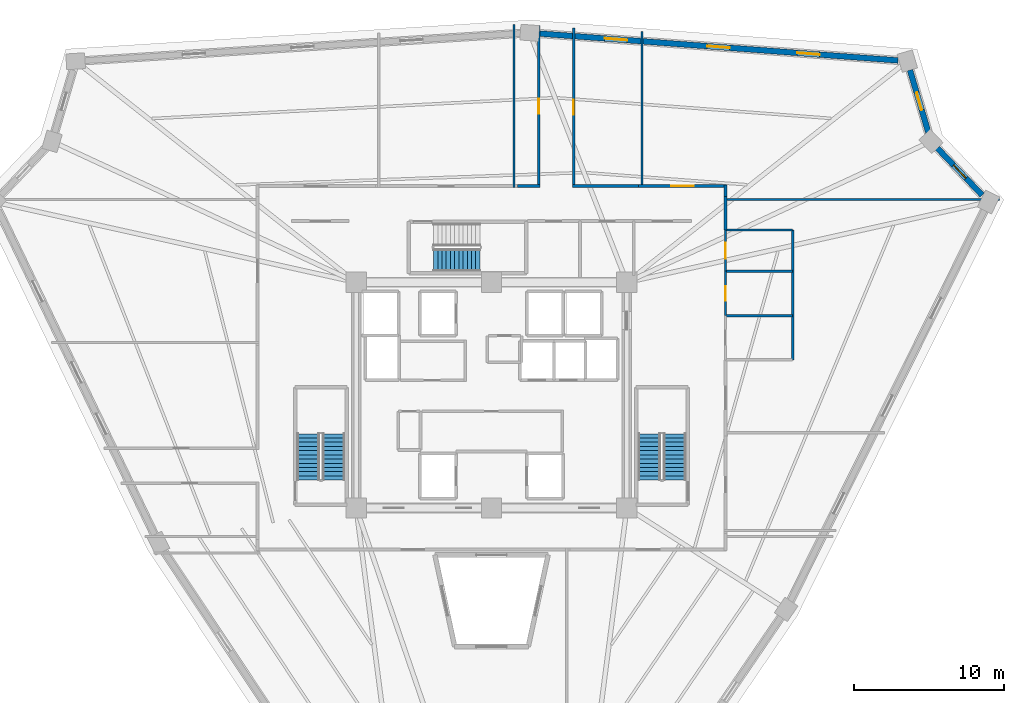
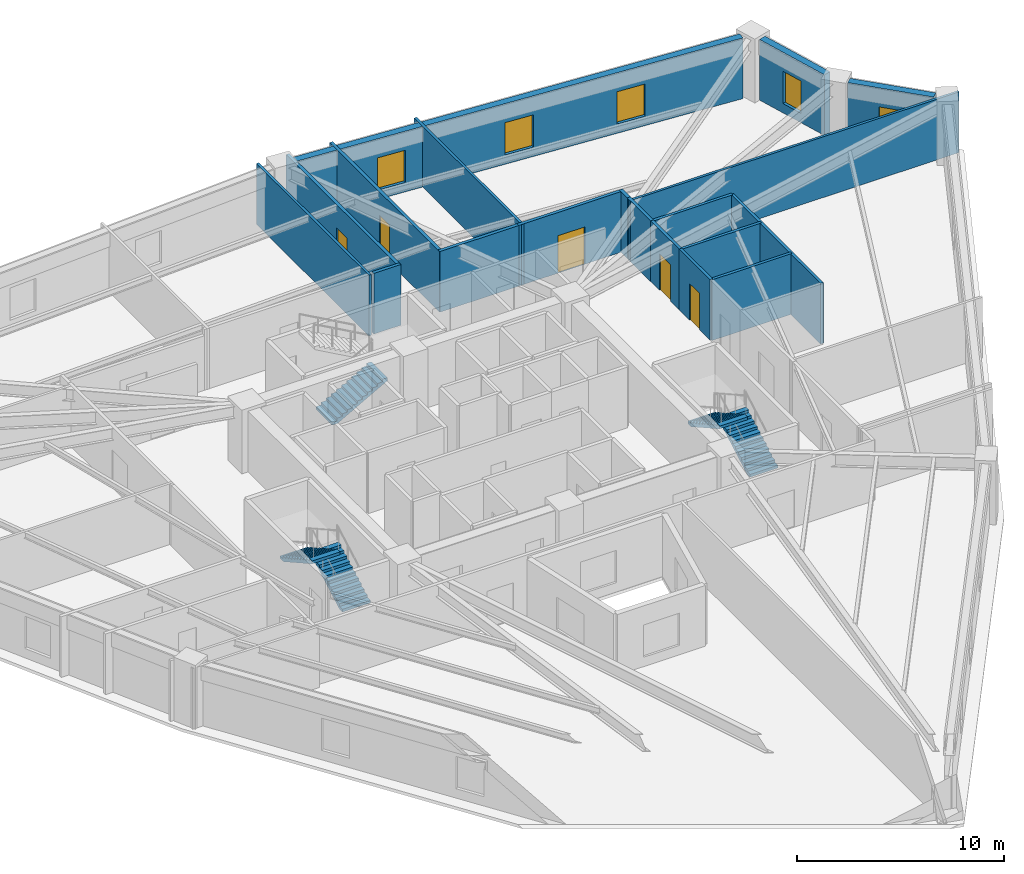
# One storey, part 7 of 9: 19 walls, 5 doors, 5 stair flights, 5 windows, 10 openings, 3 elements without a shape of their own.
"""IFC4 building model written with IfcOpenShell, lengths in metres."""

from ifc_helpers import new_model, si_unit, direction, frame, frame_2d, origin, place, context, subcontext, project, spatial, polyline, rectangle, outline, extrude, source, transform, mapped, material, layer, layer_set, type_object, element, fill, aggregate, save


model = new_model("IFC4")

# Units and contexts
model_context = context("Model", 3, precision=1e-05, world=origin(), true_north=direction((0.0, 1.0)))
body_context = subcontext(model_context, "Body", "Model", "MODEL_VIEW")
ifc_project = project(units=[si_unit("LENGTHUNIT", "METRE"), si_unit("AREAUNIT", "SQUARE_METRE"), si_unit("VOLUMEUNIT", "CUBIC_METRE"), si_unit("PLANEANGLEUNIT", "RADIAN"), si_unit("MASSUNIT", "GRAM", prefix="KILO")], contexts=[model_context])

# Site, building, storey
site_placement = place(None, origin())
site = spatial("IfcSite", under=ifc_project, at=site_placement, CompositionType="ELEMENT")
building_placement = place(site_placement, origin())
building = spatial("IfcBuilding", under=site, at=building_placement, Name="Liaohun Quay Tower", CompositionType="ELEMENT")
storey_placement = place(building_placement, frame((0.0, 0.0, 224.25)))
storey = spatial("IfcBuildingStorey", under=building, at=storey_placement, Name="L58", CompositionType="ELEMENT", Elevation=224.25)

# Wall, opening, window
ifc_material_1 = material(Name="Precast concrete C50 insulated sandwich", Category="concrete")
ifc_layer_1 = layer(ifc_material_1, 0.3798828125, Name="Precast concrete C50 insulated sandwich", Category="concrete")
ifc_layer_set_1 = layer_set([ifc_layer_1], Name="Precast concrete C50 insulated sandwich")
wall_type_1 = type_object("IfcWallType", Name="WAL-EXT-Z34", PredefinedType="SOLIDWALL", material=ifc_layer_set_1)
wall_1_placement = place(storey_placement, frame((92.626953125, 67.2919921875, 0.0), z_axis=(0.0, 0.0, 1.0), x_axis=(-0.689302673128, 0.724473481101, 0.0)))
wall_1 = element("IfcWall", 1, at=wall_1_placement, inside=storey, type_object=wall_type_1, Name="L58 Brutalist Precast Pier Wall 04", PredefinedType="SOLIDWALL", context=body_context, shape_type="SweptSolid", body=[
    extrude(rectangle(XDim=4.32470703125, YDim=0.3798828125, at=frame_2d((2.162353515625, 0.0))), origin(), (0.0, 0.0, 1.0), 3.570068359375),
])
shared_shape_1 = source(origin(), body_context, "Body", "SweptSolid", [
    extrude(rectangle(XDim=1.199951171875, YDim=1.89990234375, at=frame_2d((0.60009765625, 0.949951171875))), frame((0.0, 0.199951171875, 0.0), z_axis=(0.0, -1.0, 0.0), x_axis=(1.0, 0.0, 0.0)), (0.0, 0.0, 1.0), 0.39990234375),
])
opening_1_placement = place(wall_1_placement, frame((1.56201171875, 0.0, 0.550048828125)))
opening_1 = element("IfcOpeningElement", 2, at=opening_1_placement, cuts=wall_1, Name="Opening W05", PredefinedType="OPENING", context=body_context, shape_type="MappedRepresentation", body=[
    mapped(shared_shape_1, transform((0.0, 0.0, 0.0), x_axis=(1.0, 0.0, 0.0), y_axis=(0.0, 1.0, 0.0), z_axis=(0.0, 0.0, 1.0), scale=1.0)),
])
ifc_material_2 = material(Name="Triple Low-E corner notch glazing", Category="glass")
window_type_1 = type_object("IfcWindowType", Name="WIN-NOTCH", PartitioningType="SINGLE_PANEL", PredefinedType="WINDOW", material=ifc_material_2)
shared_shape_2 = source(origin(), body_context, "Body", "SweptSolid", [
    extrude(rectangle(XDim=1.199951171875, YDim=1.89990234375, at=frame_2d((0.60009765625, 0.949951171875))), frame((0.0, 0.030029296875, 0.0), z_axis=(0.0, -1.0, 0.0), x_axis=(1.0, 0.0, 0.0)), (0.0, 0.0, 1.0), 0.06005859375),
])
window_1_placement = place(opening_1_placement, origin())
window_1 = element("IfcWindow", 3, at=window_1_placement, inside=storey, type_object=window_type_1, Name="L58 Corner Notch Window W05-04", OverallHeight=1.89990234375, OverallWidth=1.199951171875, PartitioningType="SINGLE_PANEL", PredefinedType="WINDOW", context=body_context, shape_type="MappedRepresentation", body=[
    mapped(shared_shape_2, transform((0.0, 0.0, 0.0), x_axis=(1.0, 0.0, 0.0), y_axis=(0.0, 1.0, 0.0), z_axis=(0.0, 0.0, 1.0), scale=1.0)),
])
fill(opening_1, window_1)

wall_2_placement = place(storey_placement, frame((89.048095703125, 71.4609375, 0.0), z_axis=(0.0, 0.0, 1.0), x_axis=(-0.282748942372, 0.959193950975, 0.0)))
wall_2 = element("IfcWall", 4, at=wall_2_placement, inside=storey, type_object=wall_type_1, Name="L58 Brutalist Precast Pier Wall 05", PredefinedType="SOLIDWALL", context=body_context, shape_type="SweptSolid", body=[
    extrude(rectangle(XDim=4.332763671875, YDim=0.3798828125, at=frame_2d((2.16650390625, 0.0))), origin(), (0.0, 0.0, 1.0), 3.570068359375),
])
opening_2_placement = place(wall_2_placement, frame((1.56591796875, 0.0, 0.550048828125)))
opening_2 = element("IfcOpeningElement", 5, at=opening_2_placement, cuts=wall_2, Name="Opening W05", PredefinedType="OPENING", context=body_context, shape_type="MappedRepresentation", body=[
    mapped(shared_shape_1, transform((0.0, 0.0, 0.0), x_axis=(1.0, 0.0, 0.0), y_axis=(0.0, 1.0, 0.0), z_axis=(0.0, 0.0, 1.0), scale=1.0)),
])
window_2_placement = place(opening_2_placement, origin())
window_2 = element("IfcWindow", 6, at=window_2_placement, inside=storey, type_object=window_type_1, Name="L58 Corner Notch Window W05-05", OverallHeight=1.89990234375, OverallWidth=1.199951171875, PartitioningType="SINGLE_PANEL", PredefinedType="WINDOW", context=body_context, shape_type="MappedRepresentation", body=[
    mapped(shared_shape_2, transform((0.0, 0.0, 0.0), x_axis=(1.0, 0.0, 0.0), y_axis=(0.0, 1.0, 0.0), z_axis=(0.0, 0.0, 1.0), scale=1.0)),
])
fill(opening_2, window_2)

# Wall, openings, windows
wall_3_placement = place(storey_placement, frame((87.035888671875, 76.2529296875, 0.0), z_axis=(0.0, 0.0, 1.0), x_axis=(-0.997196419931, 0.07482847103, 0.0)))
wall_3 = element("IfcWall", 7, at=wall_3_placement, inside=storey, type_object=wall_type_1, Name="L58 Brutalist Precast Pier Wall 06", PredefinedType="SOLIDWALL", context=body_context, shape_type="SweptSolid", body=[
    extrude(rectangle(XDim=23.947998046875, YDim=0.3798828125, at=frame_2d((11.97412109375, 0.0))), origin(), (0.0, 0.0, 1.0), 3.570068359375),
])
shared_shape_3 = source(origin(), body_context, "Body", "SweptSolid", [
    extrude(rectangle(XDim=1.5, YDim=1.89990234375, at=frame_2d((0.75, 0.949951171875))), frame((0.0, 0.199951171875, 0.0), z_axis=(0.0, -1.0, 0.0), x_axis=(1.0, 0.0, 0.0)), (0.0, 0.0, 1.0), 0.39990234375),
])
opening_3_placement = place(wall_3_placement, frame((5.237060546875, 0.0, 0.550048828125)))
opening_3 = element("IfcOpeningElement", 8, at=opening_3_placement, cuts=wall_3, Name="Opening W03", PredefinedType="OPENING", context=body_context, shape_type="MappedRepresentation", body=[
    mapped(shared_shape_3, transform((0.0, 0.0, 0.0), x_axis=(1.0, 0.0, 0.0), y_axis=(0.0, 1.0, 0.0), z_axis=(0.0, 0.0, 1.0), scale=1.0)),
])
opening_4_placement = place(wall_3_placement, frame((11.22412109375, 0.0, 0.550048828125)))
opening_4 = element("IfcOpeningElement", 9, at=opening_4_placement, cuts=wall_3, Name="Opening W03", PredefinedType="OPENING", context=body_context, shape_type="MappedRepresentation", body=[
    mapped(shared_shape_3, transform((0.0, 0.0, 0.0), x_axis=(1.0, 0.0, 0.0), y_axis=(0.0, 1.0, 0.0), z_axis=(0.0, 0.0, 1.0), scale=1.0)),
])
opening_5_placement = place(wall_3_placement, frame((18.06103515625, 0.0, 0.550048828125)))
opening_5 = element("IfcOpeningElement", 10, at=opening_5_placement, cuts=wall_3, Name="Opening W03", PredefinedType="OPENING", context=body_context, shape_type="MappedRepresentation", body=[
    mapped(shared_shape_3, transform((0.0, 0.0, 0.0), x_axis=(1.0, 0.0, 0.0), y_axis=(0.0, 1.0, 0.0), z_axis=(0.0, 0.0, 1.0), scale=1.0)),
])
ifc_material_3 = material(Name="Triple Low-E argon glazing in thermally broken aluminium", Category="aluminium")
window_type_2 = type_object("IfcWindowType", Name="WIN-PUN-Z3", PartitioningType="DOUBLE_PANEL_VERTICAL", PredefinedType="WINDOW", material=ifc_material_3)
shared_shape_4 = source(origin(), body_context, "Body", "SweptSolid", [
    extrude(rectangle(XDim=1.5, YDim=1.89990234375, at=frame_2d((0.75, 0.949951171875))), frame((0.0, 0.030029296875, 0.0), z_axis=(0.0, -1.0, 0.0), x_axis=(1.0, 0.0, 0.0)), (0.0, 0.0, 1.0), 0.06005859375),
])
window_3_placement = place(opening_3_placement, origin())
window_3 = element("IfcWindow", 11, at=window_3_placement, inside=storey, type_object=window_type_2, Name="L58 Recessed Cold-Climate Punched Window 06-1", OverallHeight=1.89990234375, OverallWidth=1.5, PartitioningType="DOUBLE_PANEL_VERTICAL", PredefinedType="WINDOW", context=body_context, shape_type="MappedRepresentation", body=[
    mapped(shared_shape_4, transform((0.0, 0.0, 0.0), x_axis=(1.0, 0.0, 0.0), y_axis=(0.0, 1.0, 0.0), z_axis=(0.0, 0.0, 1.0), scale=1.0)),
])
fill(opening_3, window_3)
window_4_placement = place(opening_4_placement, origin())
window_4 = element("IfcWindow", 12, at=window_4_placement, inside=storey, type_object=window_type_2, Name="L58 Recessed Cold-Climate Punched Window 06-2", OverallHeight=1.89990234375, OverallWidth=1.5, PartitioningType="DOUBLE_PANEL_VERTICAL", PredefinedType="WINDOW", context=body_context, shape_type="MappedRepresentation", body=[
    mapped(shared_shape_4, transform((0.0, 0.0, 0.0), x_axis=(1.0, 0.0, 0.0), y_axis=(0.0, 1.0, 0.0), z_axis=(0.0, 0.0, 1.0), scale=1.0)),
])
fill(opening_4, window_4)
window_5_placement = place(opening_5_placement, origin())
window_5 = element("IfcWindow", 13, at=window_5_placement, inside=storey, type_object=window_type_2, Name="L58 Recessed Cold-Climate Punched Window 06-3", OverallHeight=1.89990234375, OverallWidth=1.5, PartitioningType="DOUBLE_PANEL_VERTICAL", PredefinedType="WINDOW", context=body_context, shape_type="MappedRepresentation", body=[
    mapped(shared_shape_4, transform((0.0, 0.0, 0.0), x_axis=(1.0, 0.0, 0.0), y_axis=(0.0, 1.0, 0.0), z_axis=(0.0, 0.0, 1.0), scale=1.0)),
])
fill(opening_5, window_5)

# Wall, opening, door
ifc_material_4 = material(Name="Autoclaved aerated concrete blockwork", Category="masonry")
ifc_layer_2 = layer(ifc_material_4, 0.179931640625, Name="Autoclaved aerated concrete blockwork", Category="masonry")
ifc_layer_set_2 = layer_set([ifc_layer_2], Name="Autoclaved aerated concrete blockwork")
wall_type_2 = type_object("IfcWallType", Name="WAL-PRT-COR", PredefinedType="PARTITIONING", material=ifc_layer_set_2)
wall_4_placement = place(storey_placement, frame((69.784912109375, 67.909912109375, 0.0), z_axis=(0.0, 0.0, 1.0), x_axis=(1.0, 0.0, 0.0)))
wall_4 = element("IfcWall", 14, at=wall_4_placement, inside=storey, type_object=wall_type_2, Name="L58 Interior Partition Wall 013", PredefinedType="PARTITIONING", context=body_context, shape_type="SweptSolid", body=[
    extrude(rectangle(XDim=5.844970703125, YDim=0.179931640625, at=frame_2d((2.92236328125, 0.0))), origin(), (0.0, 0.0, 1.0), 3.570068359375),
])
shared_shape_5 = source(origin(), body_context, "Body", "SweptSolid", [
    extrude(rectangle(XDim=1.5, YDim=2.199951171875, at=frame_2d((0.75, 1.10009765625))), frame((0.0, 0.099853515625, 0.0), z_axis=(0.0, -1.0, 0.0), x_axis=(1.0, 0.0, 0.0)), (0.0, 0.0, 1.0), 0.199951171875),
])
opening_6_placement = place(wall_4_placement, frame((2.172119140625, 0.0, 0.0)))
opening_6 = element("IfcOpeningElement", 15, at=opening_6_placement, cuts=wall_4, Name="Opening OD2", PredefinedType="OPENING", context=body_context, shape_type="MappedRepresentation", body=[
    mapped(shared_shape_5, transform((0.0, 0.0, 0.0), x_axis=(1.0, 0.0, 0.0), y_axis=(0.0, 1.0, 0.0), z_axis=(0.0, 0.0, 1.0), scale=1.0)),
])
ifc_material_5 = material(Name="Acoustic oak veneer double door")
door_type_1 = type_object("IfcDoorType", Name="DOR-OFF-1500", OperationType="DOUBLE_DOOR_SINGLE_SWING", PredefinedType="DOOR", material=ifc_material_5)
shared_shape_6 = source(origin(), body_context, "Body", "SweptSolid", [
    extrude(rectangle(XDim=1.5, YDim=2.199951171875, at=frame_2d((0.75, 1.10009765625))), frame((0.0, 0.02490234375, 0.0), z_axis=(0.0, -1.0, 0.0), x_axis=(1.0, 0.0, 0.0)), (0.0, 0.0, 1.0), 0.050048828125),
])
door_1_placement = place(opening_6_placement, origin())
door_1 = element("IfcDoor", 16, at=door_1_placement, inside=storey, type_object=door_type_1, Name="L58 Corporate Exhibition Gallery 02 Door", OperationType="DOUBLE_DOOR_SINGLE_SWING", OverallHeight=2.199951171875, OverallWidth=1.5, PredefinedType="DOOR", context=body_context, shape_type="MappedRepresentation", body=[
    mapped(shared_shape_6, transform((0.0, 0.0, 0.0), x_axis=(1.0, 0.0, 0.0), y_axis=(0.0, 1.0, 0.0), z_axis=(0.0, 0.0, 1.0), scale=1.0)),
])
fill(opening_6, door_1)

wall_5_placement = place(storey_placement, frame((65.4599609375, 78.4130859375, 0.0), z_axis=(0.0, 0.0, 1.0), x_axis=(0.0, -1.0, 0.0)))
wall_5 = element("IfcWall", 17, at=wall_5_placement, inside=storey, type_object=wall_type_2, Name="L58 Interior Partition Wall 014", PredefinedType="PARTITIONING", context=body_context, shape_type="SweptSolid", body=[
    extrude(rectangle(XDim=10.572998046875, YDim=0.179931640625, at=frame_2d((5.28662109375, 0.0))), origin(), (0.0, 0.0, 1.0), 3.570068359375),
])
shared_shape_7 = source(origin(), body_context, "Body", "SweptSolid", [
    extrude(rectangle(XDim=1.0, YDim=2.199951171875, at=frame_2d((0.5, 1.10009765625))), frame((0.0, 0.099853515625, 0.0), z_axis=(0.0, -1.0, 0.0), x_axis=(1.0, 0.0, 0.0)), (0.0, 0.0, 1.0), 0.199951171875),
])
opening_7_placement = place(wall_5_placement, frame((4.785888671875, 0.0, 0.0)))
opening_7 = element("IfcOpeningElement", 18, at=opening_7_placement, cuts=wall_5, Name="Opening OD1", PredefinedType="OPENING", context=body_context, shape_type="MappedRepresentation", body=[
    mapped(shared_shape_7, transform((0.0, 0.0, 0.0), x_axis=(1.0, 0.0, 0.0), y_axis=(0.0, 1.0, 0.0), z_axis=(0.0, 0.0, 1.0), scale=1.0)),
])
ifc_material_6 = material(Name="Solid-core oak veneer timber leaf in steel frame", Category="steel")
door_type_2 = type_object("IfcDoorType", Name="DOR-OFF-1000", OperationType="NOTDEFINED", PredefinedType="DOOR", material=ifc_material_6)
shared_shape_8 = source(origin(), body_context, "Body", "SweptSolid", [
    extrude(rectangle(XDim=1.0, YDim=2.199951171875, at=frame_2d((0.5, 1.10009765625))), frame((0.0, 0.02490234375, 0.0), z_axis=(0.0, -1.0, 0.0), x_axis=(1.0, 0.0, 0.0)), (0.0, 0.0, 1.0), 0.050048828125),
])
door_2_placement = place(opening_7_placement, origin())
door_2 = element("IfcDoor", 19, at=door_2_placement, inside=storey, type_object=door_type_2, Name="L58 Staff Daycare Nursery 03 Door", OperationType="SINGLE_SWING_RIGHT", OverallHeight=2.199951171875, OverallWidth=1.0, PredefinedType="DOOR", context=body_context, shape_type="MappedRepresentation", body=[
    mapped(shared_shape_8, transform((0.0, 0.0, 0.0), x_axis=(1.0, 0.0, 0.0), y_axis=(0.0, 1.0, 0.0), z_axis=(0.0, 0.0, 1.0), scale=1.0)),
])
fill(opening_7, door_2)

wall_6_placement = place(storey_placement, frame((63.139892578125, 67.840087890625, 0.0), z_axis=(0.0, 0.0, 1.0), x_axis=(0.0, 1.0, 0.0)))
wall_6 = element("IfcWall", 20, at=wall_6_placement, inside=storey, type_object=wall_type_2, Name="L58 Interior Partition Wall 015", PredefinedType="PARTITIONING", context=body_context, shape_type="SweptSolid", body=[
    extrude(rectangle(XDim=10.746826171875, YDim=0.179931640625, at=frame_2d((5.37353515625, 0.0))), origin(), (0.0, 0.0, 1.0), 3.570068359375),
])
opening_8_placement = place(wall_6_placement, frame((4.873046875, 0.0, 0.0)))
opening_8 = element("IfcOpeningElement", 21, at=opening_8_placement, cuts=wall_6, Name="Opening OD1", PredefinedType="OPENING", context=body_context, shape_type="MappedRepresentation", body=[
    mapped(shared_shape_7, transform((0.0, 0.0, 0.0), x_axis=(1.0, 0.0, 0.0), y_axis=(0.0, 1.0, 0.0), z_axis=(0.0, 0.0, 1.0), scale=1.0)),
])
door_3_placement = place(opening_8_placement, origin())
door_3 = element("IfcDoor", 22, at=door_3_placement, inside=storey, type_object=door_type_2, Name="L58 Project Collaboration Studio 04 Door", OperationType="SINGLE_SWING_LEFT", OverallHeight=2.199951171875, OverallWidth=1.0, PredefinedType="DOOR", context=body_context, shape_type="MappedRepresentation", body=[
    mapped(shared_shape_8, transform((0.0, 0.0, 0.0), x_axis=(1.0, 0.0, 0.0), y_axis=(0.0, 1.0, 0.0), z_axis=(0.0, 0.0, 1.0), scale=1.0)),
])
fill(opening_8, door_3)

# Walls
wall_7_placement = place(storey_placement, frame((75.56005859375, 67.215087890625, 0.0), z_axis=(0.0, 0.0, 1.0), x_axis=(0.0, -1.0, 0.0)))
element("IfcWall", 23, at=wall_7_placement, inside=storey, type_object=wall_type_2, Name="L58 Interior Partition Wall 037", PredefinedType="PARTITIONING", context=body_context, shape_type="SweptSolid", body=[
    extrude(rectangle(XDim=2.235107421875, YDim=0.179931640625, at=frame_2d((1.11767578125, 0.0))), origin(), (0.0, 0.0, 1.0), 3.570068359375),
])
wall_8_placement = place(storey_placement, frame((75.56005859375, 67.97998046875, 0.0), z_axis=(0.0, 0.0, 1.0), x_axis=(0.0, -1.0, 0.0)))
element("IfcWall", 24, at=wall_8_placement, inside=storey, type_object=wall_type_2, Name="L58 Interior Partition Wall 038", PredefinedType="PARTITIONING", context=body_context, shape_type="SweptSolid", body=[
    extrude(rectangle(XDim=0.764892578125, YDim=0.179931640625, at=frame_2d((0.38232421875, 0.0))), origin(), (0.0, 0.0, 1.0), 3.570068359375),
])
wall_9_placement = place(storey_placement, frame((65.389892578125, 67.909912109375, 0.0), z_axis=(0.0, 0.0, 1.0), x_axis=(1.0, 0.0, 0.0)))
element("IfcWall", 25, at=wall_9_placement, inside=storey, type_object=wall_type_2, Name="L58 Interior Partition Wall 039", PredefinedType="PARTITIONING", context=body_context, shape_type="SweptSolid", body=[
    extrude(rectangle(XDim=4.39501953125, YDim=0.179931640625, at=frame_2d((2.197509765625, 0.0))), origin(), (0.0, 0.0, 1.0), 3.570068359375),
])
wall_10_placement = place(storey_placement, frame((61.715087890625, 67.909912109375, 0.0), z_axis=(0.0, 0.0, 1.0), x_axis=(1.0, 0.0, 0.0)))
element("IfcWall", 26, at=wall_10_placement, inside=storey, type_object=wall_type_2, Name="L58 Interior Partition Wall 040", PredefinedType="PARTITIONING", context=body_context, shape_type="SweptSolid", body=[
    extrude(rectangle(XDim=1.494873046875, YDim=0.179931640625, at=frame_2d((0.74755859375, 0.0))), origin(), (0.0, 0.0, 1.0), 3.570068359375),
])
ifc_material_7 = material(Name="Gypsum board on twin steel studs", Category="steel")
ifc_layer_3 = layer(ifc_material_7, 0.139892578125, Name="Gypsum board on twin steel studs", Category="steel")
ifc_layer_set_3 = layer_set([ifc_layer_3], Name="Gypsum board on twin steel studs")
wall_type_3 = type_object("IfcWallType", Name="WAL-PRT-OFF", PredefinedType="PARTITIONING", material=ifc_layer_set_3)
wall_11_placement = place(storey_placement, frame((75.4599609375, 67.0, 0.0), z_axis=(0.0, 0.0, 1.0), x_axis=(1.0, 0.0, 0.0)))
element("IfcWall", 27, at=wall_11_placement, inside=storey, type_object=wall_type_3, Name="L58 Interior Partition Wall 053", PredefinedType="PARTITIONING", context=body_context, shape_type="SweptSolid", body=[
    extrude(rectangle(XDim=18.31396484375, YDim=0.139892578125, at=frame_2d((9.156982421875, 0.0))), origin(), (0.0, 0.0, 1.0), 3.570068359375),
])
wall_12_placement = place(storey_placement, frame((61.5, 67.81005859375, 0.0), z_axis=(0.0, 0.0, 1.0), x_axis=(0.0, 1.0, 0.0)))
element("IfcWall", 28, at=wall_12_placement, inside=storey, type_object=wall_type_3, Name="L58 Interior Partition Wall 055", PredefinedType="PARTITIONING", context=body_context, shape_type="SweptSolid", body=[
    extrude(rectangle(XDim=10.846923828125, YDim=0.139892578125, at=frame_2d((5.42333984375, 0.0))), origin(), (0.0, 0.0, 1.0), 3.570068359375),
])
wall_13_placement = place(storey_placement, frame((70.0, 67.81005859375, 0.0), z_axis=(0.0, 0.0, 1.0), x_axis=(0.0, 1.0, 0.0)))
element("IfcWall", 29, at=wall_13_placement, inside=storey, type_object=wall_type_3, Name="L58 Interior Partition Wall 056", PredefinedType="PARTITIONING", context=body_context, shape_type="SweptSolid", body=[
    extrude(rectangle(XDim=10.35302734375, YDim=0.139892578125, at=frame_2d((5.176513671875, 0.0))), origin(), (0.0, 0.0, 1.0), 3.570068359375),
])

# Wall, opening, door
ifc_material_8 = material(Name="Moisture-resistant masonry blockwork", Category="masonry")
ifc_layer_4 = layer(ifc_material_8, 0.159912109375, Name="Moisture-resistant masonry blockwork", Category="masonry")
ifc_layer_set_4 = layer_set([ifc_layer_4], Name="Moisture-resistant masonry blockwork")
wall_type_4 = type_object("IfcWallType", Name="WAL-PRT-WET", PredefinedType="PARTITIONING", material=ifc_layer_set_4)
wall_14_placement = place(storey_placement, frame((75.56005859375, 59.280029296875, 0.0), z_axis=(0.0, 0.0, 1.0), x_axis=(0.0, 1.0, 0.0)))
wall_14 = element("IfcWall", 30, at=wall_14_placement, inside=storey, type_object=wall_type_4, Name="L58 Interior Partition Wall 006", PredefinedType="PARTITIONING", context=body_context, shape_type="SweptSolid", body=[
    extrude(rectangle(XDim=2.9599609375, YDim=0.159912109375, at=frame_2d((1.47998046875, 0.0))), origin(), (0.0, 0.0, 1.0), 3.570068359375),
])
shared_shape_9 = source(origin(), body_context, "Body", "SweptSolid", [
    extrude(rectangle(XDim=0.949951171875, YDim=2.14990234375, at=frame_2d((0.47509765625, 1.074951171875))), frame((0.0, 0.08984375, 0.0), z_axis=(0.0, -1.0, 0.0), x_axis=(1.0, 0.0, 0.0)), (0.0, 0.0, 1.0), 0.179931640625),
])
opening_9_placement = place(wall_14_placement, frame((1.0048828125, 0.0, 0.0)))
opening_9 = element("IfcOpeningElement", 31, at=opening_9_placement, cuts=wall_14, Name="Opening WD1", PredefinedType="OPENING", context=body_context, shape_type="MappedRepresentation", body=[
    mapped(shared_shape_9, transform((0.0, 0.0, 0.0), x_axis=(1.0, 0.0, 0.0), y_axis=(0.0, 1.0, 0.0), z_axis=(0.0, 0.0, 1.0), scale=1.0)),
])
ifc_material_9 = material(Name="Moisture-resistant laminate timber leaf", Category="wood")
door_type_3 = type_object("IfcDoorType", Name="DOR-WC-950", OperationType="NOTDEFINED", PredefinedType="DOOR", material=ifc_material_9)
shared_shape_10 = source(origin(), body_context, "Body", "SweptSolid", [
    extrude(rectangle(XDim=0.949951171875, YDim=2.14990234375, at=frame_2d((0.47509765625, 1.074951171875))), frame((0.0, 0.02490234375, 0.0), z_axis=(0.0, -1.0, 0.0), x_axis=(1.0, 0.0, 0.0)), (0.0, 0.0, 1.0), 0.050048828125),
])
door_4_placement = place(opening_9_placement, origin())
door_4 = element("IfcDoor", 32, at=door_4_placement, inside=storey, type_object=door_type_3, Name="L58 Female Restroom WC Door", OperationType="SINGLE_SWING_RIGHT", OverallHeight=2.14990234375, OverallWidth=0.949951171875, PredefinedType="DOOR", context=body_context, shape_type="MappedRepresentation", body=[
    mapped(shared_shape_10, transform((0.0, 0.0, 0.0), x_axis=(1.0, 0.0, 0.0), y_axis=(0.0, 1.0, 0.0), z_axis=(0.0, 0.0, 1.0), scale=1.0)),
])
fill(opening_9, door_4)

wall_15_placement = place(storey_placement, frame((75.56005859375, 62.239990234375, 0.0), z_axis=(0.0, 0.0, 1.0), x_axis=(0.0, 1.0, 0.0)))
wall_15 = element("IfcWall", 33, at=wall_15_placement, inside=storey, type_object=wall_type_4, Name="L58 Interior Partition Wall 007", PredefinedType="PARTITIONING", context=body_context, shape_type="SweptSolid", body=[
    extrude(rectangle(XDim=2.739990234375, YDim=0.159912109375, at=frame_2d((1.3701171875, 0.0))), origin(), (0.0, 0.0, 1.0), 3.570068359375),
])
shared_shape_11 = source(origin(), body_context, "Body", "SweptSolid", [
    extrude(rectangle(XDim=1.050048828125, YDim=2.14990234375, at=frame_2d((0.52490234375, 1.074951171875))), frame((0.0, 0.08984375, 0.0), z_axis=(0.0, -1.0, 0.0), x_axis=(1.0, 0.0, 0.0)), (0.0, 0.0, 1.0), 0.179931640625),
])
opening_10_placement = place(wall_15_placement, frame((0.844970703125, 0.0, 0.0)))
opening_10 = element("IfcOpeningElement", 34, at=opening_10_placement, cuts=wall_15, Name="Opening WD2", PredefinedType="OPENING", context=body_context, shape_type="MappedRepresentation", body=[
    mapped(shared_shape_11, transform((0.0, 0.0, 0.0), x_axis=(1.0, 0.0, 0.0), y_axis=(0.0, 1.0, 0.0), z_axis=(0.0, 0.0, 1.0), scale=1.0)),
])
ifc_material_10 = material(Name="Accessible outward-swinging laminate door")
door_type_4 = type_object("IfcDoorType", Name="DOR-AWC-1050", OperationType="NOTDEFINED", PredefinedType="DOOR", material=ifc_material_10)
shared_shape_12 = source(origin(), body_context, "Body", "SweptSolid", [
    extrude(rectangle(XDim=1.050048828125, YDim=2.14990234375, at=frame_2d((0.52490234375, 1.074951171875))), frame((0.0, 0.02490234375, 0.0), z_axis=(0.0, -1.0, 0.0), x_axis=(1.0, 0.0, 0.0)), (0.0, 0.0, 1.0), 0.050048828125),
])
door_5_placement = place(opening_10_placement, origin())
door_5 = element("IfcDoor", 35, at=door_5_placement, inside=storey, type_object=door_type_4, Name="L58 Accessible WC Door", OperationType="SINGLE_SWING_LEFT", OverallHeight=2.14990234375, OverallWidth=1.050048828125, PredefinedType="DOOR", context=body_context, shape_type="MappedRepresentation", body=[
    mapped(shared_shape_12, transform((0.0, 0.0, 0.0), x_axis=(1.0, 0.0, 0.0), y_axis=(0.0, 1.0, 0.0), z_axis=(0.0, 0.0, 1.0), scale=1.0)),
])
fill(opening_10, door_5)

# Walls
wall_16_placement = place(storey_placement, frame((80.02001953125, 56.340087890625, 0.0), z_axis=(0.0, 0.0, 1.0), x_axis=(0.0, 1.0, 0.0)))
element("IfcWall", 36, at=wall_16_placement, inside=storey, type_object=wall_type_4, Name="L58 Interior Partition Wall 030", PredefinedType="PARTITIONING", context=body_context, shape_type="SweptSolid", body=[
    extrude(rectangle(XDim=8.639892578125, YDim=0.159912109375, at=frame_2d((4.31982421875, 0.0))), origin(), (0.0, 0.0, 1.0), 3.570068359375),
])
for number, where, z_axis, x_axis, name in (
    (37, (75.56005859375, 59.280029296875, 0.0), (0.0, 0.0, 1.0), (1.0, 0.0, 0.0), "L58 Interior Partition Wall 032"),
    (38, (75.56005859375, 62.239990234375, 0.0), (0.0, 0.0, 1.0), (1.0, 0.0, 0.0), "L58 Interior Partition Wall 033"),
    (39, (75.56005859375, 64.97998046875, 0.0), (0.0, 0.0, 1.0), (1.0, 0.0, 0.0), "L58 Interior Partition Wall 034"),
):
    element("IfcWall", number, at=place(storey_placement, frame(where, z_axis=z_axis, x_axis=x_axis)), inside=storey, type_object=wall_type_4, Name=name, PredefinedType="PARTITIONING", context=body_context, shape_type="SweptSolid", body=[
        extrude(rectangle(XDim=4.4599609375, YDim=0.159912109375, at=frame_2d((2.22998046875, 0.0))), origin(), (0.0, 0.0, 1.0), 3.570068359375),
    ])

# Stair, stair flights
ifc_material_11 = material(Name="Concrete C45", Category="concrete")
stair_type = type_object("IfcStairType", Name="STR-CORE-OFF", PredefinedType="HALF_TURN_STAIR", material=ifc_material_11)
stair_1_placement = place(storey_placement, origin())
stair_1 = element("IfcStair", 40, at=stair_1_placement, inside=storey, type_object=stair_type, Name="L58 Smokeproof Core Exit Stair ST-1", PredefinedType="HALF_TURN_STAIR")
stair_flight_type = type_object("IfcStairFlightType", Name="FLT-CORE-155", PredefinedType="STRAIGHT", material=ifc_material_11)
stair_flight_1_placement = place(storey_placement, frame((49.5048828125, 48.35009765625, 0.0), z_axis=(0.0, 0.0, 1.0), x_axis=(0.0, 1.0, 0.0)))
stair_flight_1 = element("IfcStairFlight", 41, at=stair_flight_1_placement, type_object=stair_flight_type, Name="ST-1 flight 1", NumberOfRisers=12, NumberOfTreads=11, PredefinedType="STRAIGHT", RiserHeight=0.15625, TreadLength=0.28, context=body_context, shape_type="SweptSolid", body=[
    extrude(outline(polyline([(0.0, 0.0), (0.0, 0.15625), (0.280029296875, 0.15625), (0.280029296875, 0.3125), (0.56005859375, 0.3125), (0.56005859375, 0.46875), (0.840087890625, 0.46875), (0.840087890625, 0.625), (1.1201171875, 0.625), (1.1201171875, 0.78125), (1.39990234375, 0.78125), (1.39990234375, 0.9375), (1.679931640625, 0.9375), (1.679931640625, 1.09375), (1.9599609375, 1.09375), (1.9599609375, 1.25), (2.239990234375, 1.25), (2.239990234375, 1.40625), (2.52001953125, 1.40625), (2.52001953125, 1.5625), (2.800048828125, 1.5625), (2.800048828125, 1.71875), (3.080078125, 1.71875), (3.080078125, 1.875), (3.080078125, 1.547119140625), (0.3076171875, 0.0), (0.0, 0.0)])), frame((0.0, 0.77490234375, 0.0), z_axis=(0.0, -1.0, 0.0), x_axis=(1.0, 0.0, 0.0)), (0.0, 0.0, 1.0), 1.550048828125),
])
stair_flight_2_placement = place(storey_placement, frame((47.81494140625, 51.429931640625, 1.875), z_axis=(0.0, 0.0, 1.0), x_axis=(0.0, -1.0, 0.0)))
stair_flight_2 = element("IfcStairFlight", 42, at=stair_flight_2_placement, type_object=stair_flight_type, Name="ST-1 flight 2", NumberOfRisers=12, NumberOfTreads=11, PredefinedType="STRAIGHT", RiserHeight=0.15625, TreadLength=0.28, context=body_context, shape_type="SweptSolid", body=[
    extrude(outline(polyline([(0.0, 0.0), (0.0, 0.15625), (0.280029296875, 0.15625), (0.280029296875, 0.3125), (0.56005859375, 0.3125), (0.56005859375, 0.46875), (0.840087890625, 0.46875), (0.840087890625, 0.625), (1.1201171875, 0.625), (1.1201171875, 0.78125), (1.39990234375, 0.78125), (1.39990234375, 0.9375), (1.679931640625, 0.9375), (1.679931640625, 1.09375), (1.9599609375, 1.09375), (1.9599609375, 1.25), (2.239990234375, 1.25), (2.239990234375, 1.40625), (2.52001953125, 1.40625), (2.52001953125, 1.5625), (2.800048828125, 1.5625), (2.800048828125, 1.71875), (3.080078125, 1.71875), (3.080078125, 1.875), (3.080078125, 1.547119140625), (0.3076171875, 0.0), (0.0, 0.0)])), frame((0.0, 0.77490234375, 0.0), z_axis=(0.0, -1.0, 0.0), x_axis=(1.0, 0.0, 0.0)), (0.0, 0.0, 1.0), 1.550048828125),
])
aggregate(stair_1, [stair_flight_1, stair_flight_2])

stair_2_placement = place(storey_placement, origin())
stair_2 = element("IfcStair", 43, at=stair_2_placement, inside=storey, type_object=stair_type, Name="L58 Smokeproof Core Exit Stair ST-2", PredefinedType="HALF_TURN_STAIR")
stair_flight_3_placement = place(storey_placement, frame((72.18505859375, 48.35009765625, 0.0), z_axis=(0.0, 0.0, 1.0), x_axis=(0.0, 1.0, 0.0)))
stair_flight_3 = element("IfcStairFlight", 44, at=stair_flight_3_placement, type_object=stair_flight_type, Name="ST-2 flight 1", NumberOfRisers=12, NumberOfTreads=11, PredefinedType="STRAIGHT", RiserHeight=0.15625, TreadLength=0.28, context=body_context, shape_type="SweptSolid", body=[
    extrude(outline(polyline([(0.0, 0.0), (0.0, 0.15625), (0.280029296875, 0.15625), (0.280029296875, 0.3125), (0.56005859375, 0.3125), (0.56005859375, 0.46875), (0.840087890625, 0.46875), (0.840087890625, 0.625), (1.1201171875, 0.625), (1.1201171875, 0.78125), (1.39990234375, 0.78125), (1.39990234375, 0.9375), (1.679931640625, 0.9375), (1.679931640625, 1.09375), (1.9599609375, 1.09375), (1.9599609375, 1.25), (2.239990234375, 1.25), (2.239990234375, 1.40625), (2.52001953125, 1.40625), (2.52001953125, 1.5625), (2.800048828125, 1.5625), (2.800048828125, 1.71875), (3.080078125, 1.71875), (3.080078125, 1.875), (3.080078125, 1.547119140625), (0.3076171875, 0.0), (0.0, 0.0)])), frame((0.0, 0.77490234375, 0.0), z_axis=(0.0, -1.0, 0.0), x_axis=(1.0, 0.0, 0.0)), (0.0, 0.0, 1.0), 1.550048828125),
])
stair_flight_4_placement = place(storey_placement, frame((70.4951171875, 51.429931640625, 1.875), z_axis=(0.0, 0.0, 1.0), x_axis=(0.0, -1.0, 0.0)))
stair_flight_4 = element("IfcStairFlight", 45, at=stair_flight_4_placement, type_object=stair_flight_type, Name="ST-2 flight 2", NumberOfRisers=12, NumberOfTreads=11, PredefinedType="STRAIGHT", RiserHeight=0.15625, TreadLength=0.28, context=body_context, shape_type="SweptSolid", body=[
    extrude(outline(polyline([(0.0, 0.0), (0.0, 0.15625), (0.280029296875, 0.15625), (0.280029296875, 0.3125), (0.56005859375, 0.3125), (0.56005859375, 0.46875), (0.840087890625, 0.46875), (0.840087890625, 0.625), (1.1201171875, 0.625), (1.1201171875, 0.78125), (1.39990234375, 0.78125), (1.39990234375, 0.9375), (1.679931640625, 0.9375), (1.679931640625, 1.09375), (1.9599609375, 1.09375), (1.9599609375, 1.25), (2.239990234375, 1.25), (2.239990234375, 1.40625), (2.52001953125, 1.40625), (2.52001953125, 1.5625), (2.800048828125, 1.5625), (2.800048828125, 1.71875), (3.080078125, 1.71875), (3.080078125, 1.875), (3.080078125, 1.547119140625), (0.3076171875, 0.0), (0.0, 0.0)])), frame((0.0, 0.77490234375, 0.0), z_axis=(0.0, -1.0, 0.0), x_axis=(1.0, 0.0, 0.0)), (0.0, 0.0, 1.0), 1.550048828125),
])
aggregate(stair_2, [stair_flight_3, stair_flight_4])

# Stair, stair flight
stair_3_placement = place(storey_placement, origin())
stair_3 = element("IfcStair", 46, at=stair_3_placement, inside=storey, type_object=stair_type, Name="L58 Smokeproof Core Exit Stair ST-3", PredefinedType="HALF_TURN_STAIR")
stair_flight_5_placement = place(storey_placement, frame((56.14990234375, 62.97509765625, 0.0), z_axis=(0.0, 0.0, 1.0), x_axis=(1.0, 0.0, 0.0)))
stair_flight_5 = element("IfcStairFlight", 47, at=stair_flight_5_placement, type_object=stair_flight_type, Name="ST-3 flight 1", NumberOfRisers=12, NumberOfTreads=11, PredefinedType="STRAIGHT", RiserHeight=0.15625, TreadLength=0.28, context=body_context, shape_type="SweptSolid", body=[
    extrude(outline(polyline([(0.0, 0.0), (0.0, 0.15625), (0.280029296875, 0.15625), (0.280029296875, 0.3125), (0.56005859375, 0.3125), (0.56005859375, 0.46875), (0.840087890625, 0.46875), (0.840087890625, 0.625), (1.1201171875, 0.625), (1.1201171875, 0.78125), (1.39990234375, 0.78125), (1.39990234375, 0.9375), (1.679931640625, 0.9375), (1.679931640625, 1.09375), (1.9599609375, 1.09375), (1.9599609375, 1.25), (2.239990234375, 1.25), (2.239990234375, 1.40625), (2.52001953125, 1.40625), (2.52001953125, 1.5625), (2.800048828125, 1.5625), (2.800048828125, 1.71875), (3.080078125, 1.71875), (3.080078125, 1.875), (3.080078125, 1.547119140625), (0.3076171875, 0.0), (0.0, 0.0)])), frame((0.0, 0.77490234375, 0.0), z_axis=(0.0, -1.0, 0.0), x_axis=(1.0, 0.0, 0.0)), (0.0, 0.0, 1.0), 1.550048828125),
])
aggregate(stair_3, [stair_flight_5])

save(model, "model.ifc")
